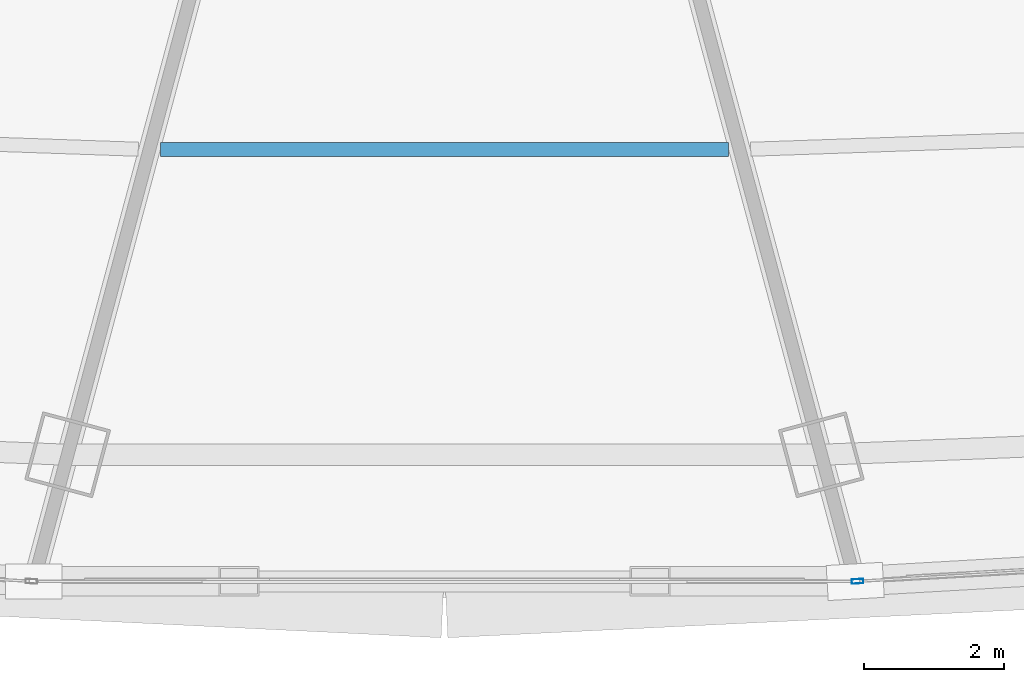
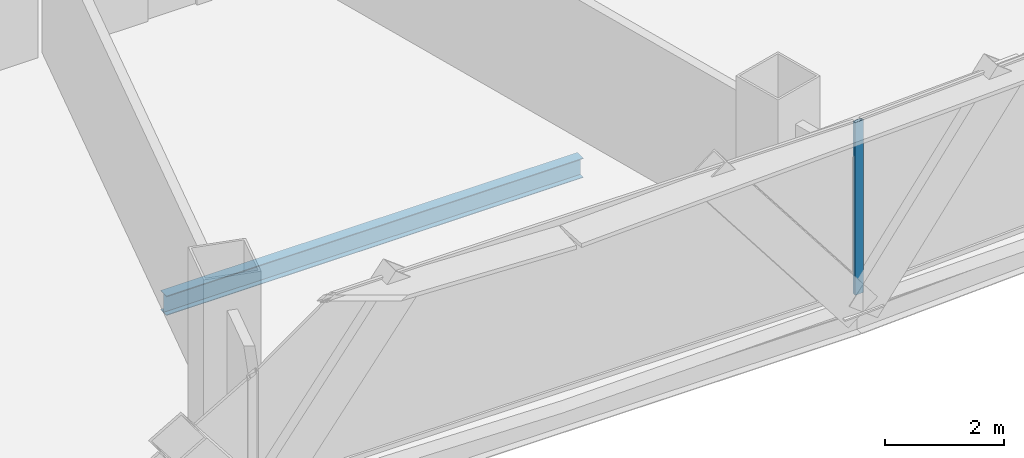
# One storey, part 10 of 39: 1 beam, 1 member, 1 element without a shape of its own.
"""IFC4 building model written with IfcOpenShell, lengths in metres."""

from ifc_helpers import new_model, si_unit, direction, frame, origin, origin_2d, place, context, subcontext, project, spatial, hollow_rectangle, i_section, extrude, source, transform, mapped, material, layer, layer_set, material_profile, profile_set, type_object, element, aggregate, save


model = new_model("IFC4")

# Units and contexts
model_context = context("Model", 3, precision=1e-05, world=origin(), true_north=direction((0.0, 1.0)))
body_context = subcontext(model_context, "Body", "Model", "MODEL_VIEW")
ifc_project = project(units=[si_unit("LENGTHUNIT", "METRE"), si_unit("AREAUNIT", "SQUARE_METRE"), si_unit("VOLUMEUNIT", "CUBIC_METRE"), si_unit("PLANEANGLEUNIT", "RADIAN"), si_unit("MASSUNIT", "GRAM", prefix="KILO"), si_unit("THERMODYNAMICTEMPERATUREUNIT", "KELVIN"), si_unit("POWERUNIT", "WATT")], contexts=[model_context])

# Site, building, storey
site_placement = place(None, origin())
site = spatial("IfcSite", under=ifc_project, at=site_placement, CompositionType="ELEMENT")
building_placement = place(site_placement, origin())
building = spatial("IfcBuilding", under=site, at=building_placement, Name="Yunzhuo Pagoda Commons", CompositionType="ELEMENT")
storey_placement = place(building_placement, frame((0.0, 0.0, 96.3798828125)))
storey = spatial("IfcBuildingStorey", under=building, at=storey_placement, Name="L24", CompositionType="ELEMENT", Elevation=96.3798828125)

# Beam
ifc_material_1 = material(Name="Structural steel Q355B", Category="steel")
ifc_material_profile_1 = material_profile(ifc_material_1, i_section(OverallWidth=0.199951171875, OverallDepth=0.39990234375, WebThickness=0.008056640625, FlangeThickness=0.012939453125, at=origin_2d()), Name="Structural steel Q355B")
ifc_profile_set_1 = profile_set([ifc_material_profile_1], Name="Structural steel Q355B")
beam_type = type_object("IfcBeamType", Name="B-JS1 Joist HN 400x200x8x13", PredefinedType="JOIST", material=ifc_profile_set_1)
shared_shape_1 = source(origin(), body_context, "Body", "SweptSolid", [
    extrude(i_section(OverallWidth=0.199951171875, OverallDepth=0.39990234375, WebThickness=0.008056640625, FlangeThickness=0.012939453125, at=origin_2d()), origin(), (0.0, 0.0, 1.0), 8.087890625),
])
beam_placement = place(storey_placement, frame((43.9560546875, 18.014404296875, -0.4599609375), z_axis=(1.0, 0.0, 0.0), x_axis=(0.0, 1.0, 0.0)))
element("IfcBeam", 1, at=beam_placement, inside=storey, type_object=beam_type, Name="L24 composite ring joist 2.2", PredefinedType="JOIST", context=body_context, shape_type="MappedRepresentation", body=[
    mapped(shared_shape_1, transform((0.0, 0.0, 0.0), scale=1.0)),
])

# Curtain wall, member
ifc_material_2 = material(Name="Anodized aluminium 6063-T6", Category="aluminium")
ifc_layer = layer(ifc_material_2, 0.1650390625)
ifc_layer_set = layer_set([ifc_layer], Name="Anodized aluminium 6063-T6")
curtain_wall_type = type_object("IfcCurtainWallType", Name="CW-LOW Low-Zone Ribbon Curtain Wall", PredefinedType="NOTDEFINED", material=ifc_layer_set)
curtain_wall_placement = place(storey_placement, origin())
curtain_wall = element("IfcCurtainWall", 2, at=curtain_wall_placement, inside=storey, type_object=curtain_wall_type, Name="L24 curtain wall CW-L24-F1B4", PredefinedType="NOTDEFINED")
ifc_material_profile_2 = material_profile(ifc_material_2, hollow_rectangle(XDim=0.06494140625, YDim=0.1650390625, WallThickness=0.00390625, at=origin_2d()), Name="Anodized aluminium 6063-T6")
ifc_profile_set_2 = profile_set([ifc_material_profile_2], Name="Anodized aluminium 6063-T6")
member_type = type_object("IfcMemberType", Name="CW-LOW-M Mullion RHS 165x65x4", PredefinedType="MULLION", material=ifc_profile_set_2)
shared_shape_2 = source(origin(), body_context, "Body", "SweptSolid", [
    extrude(hollow_rectangle(XDim=0.06494140625, YDim=0.1650390625, WallThickness=0.00390625, at=origin_2d()), origin(), (0.0, 0.0, 1.0), 3.5400390625),
])
member_placement = place(storey_placement, frame((53.88330078125, 11.865966796875, 0.0), z_axis=(0.0, 0.0, 1.0), x_axis=(-0.057299493103, 0.998357034377, 0.0)))
member = element("IfcMember", 3, at=member_placement, type_object=member_type, Name="CW mullion 1", PredefinedType="MULLION", context=body_context, shape_type="MappedRepresentation", body=[
    mapped(shared_shape_2, transform((0.0, 0.0, 0.0), scale=1.0)),
])
aggregate(curtain_wall, [member])

save(model, "model.ifc")
